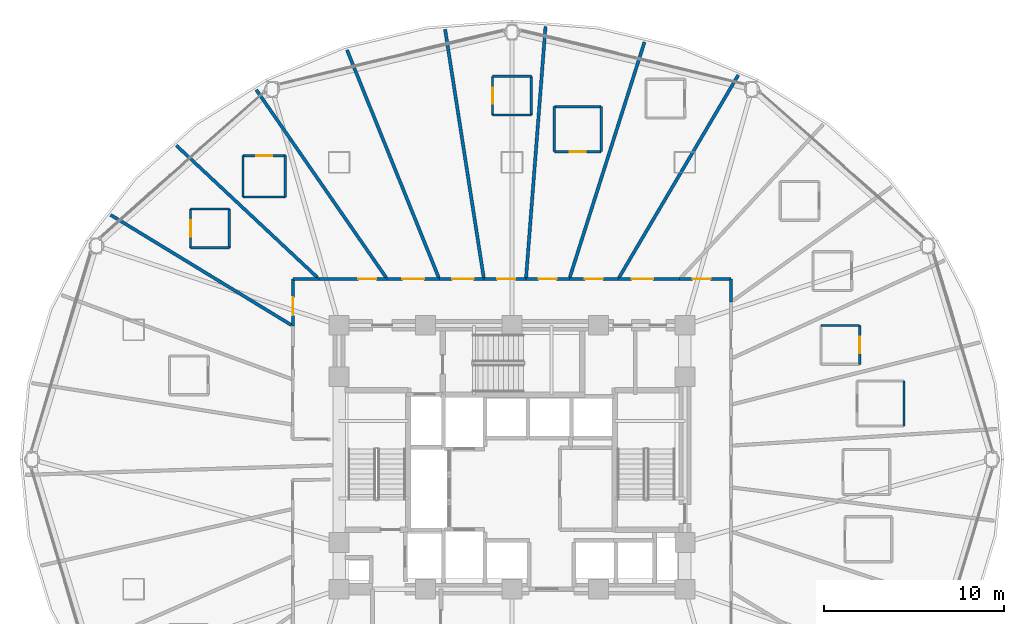
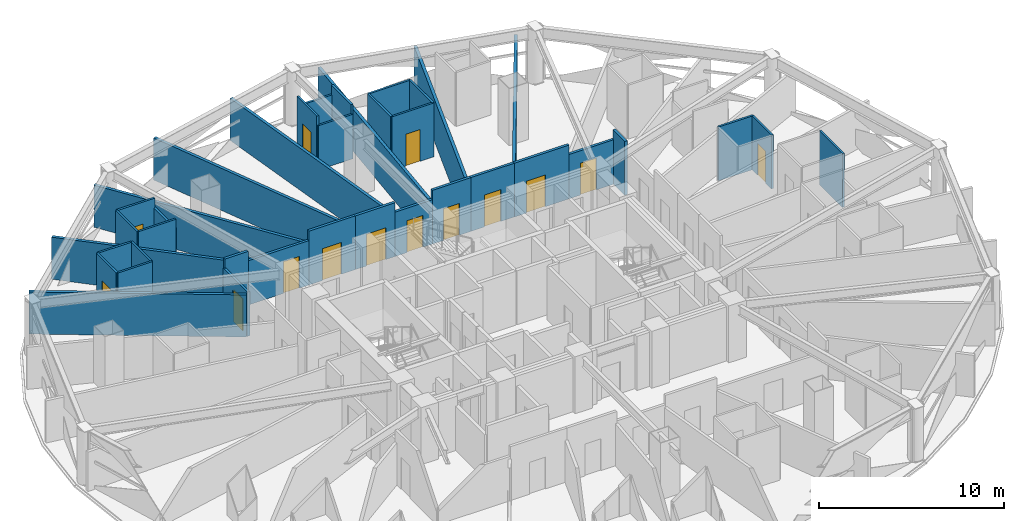
# One storey, part 27 of 32: 38 walls, 14 doors, 14 openings.
"""IFC4 building model written with IfcOpenShell, lengths in metres."""

import ifcopenshell
import ifcopenshell.guid

model = None  # the IFC model being written
_history = None  # IfcOwnerHistory: only IFC2X3 demands one
_inside = {}  # id of a spatial element -> (the spatial element, [elements in it])
_under = {}  # id of a project, library or spatial element -> (it, [spatial elements below it])
_declared = {}  # id of a project -> (the project, [libraries it declares])
_typed = {}  # id of a type object -> (the type object, [elements of that type])
_made_of = {}  # id of a material, layer set ... -> (it, [elements and type objects made of it])


def new_model(schema):
    """Start an empty IFC model of exactly this schema.

    Asked for "IFC4X3", IfcOpenShell would pick the latest addendum, in which some entities
    have other attributes; the version numbers below select the first issue.
    IFC2X3 requires an IfcOwnerHistory on every rooted entity: one is made here for all.
    """
    global model, _history
    if schema == "IFC4X3":
        model = ifcopenshell.file(schema_version=(4, 3, 0, 0))
    else:
        model = ifcopenshell.file(schema=schema)
    _inside.clear()
    _under.clear()
    _declared.clear()
    _typed.clear()
    _made_of.clear()
    _history = None
    if model.schema == "IFC2X3":
        org = make("IfcOrganization", Name="unknown")
        user = make(
            "IfcPersonAndOrganization",
            ThePerson=make("IfcPerson", FamilyName="unknown"),
            TheOrganization=org,
        )
        app = make(
            "IfcApplication",
            ApplicationDeveloper=org,
            Version="unknown",
            ApplicationFullName="unknown",
            ApplicationIdentifier="unknown",
        )
        _history = make(
            "IfcOwnerHistory",
            OwningUser=user,
            OwningApplication=app,
            ChangeAction="ADDED",
            CreationDate=0,
        )
    return model


def make(cls, **values):
    """One entity of the class cls with the attributes given. An attribute that is None is left unset."""
    return model.create_entity(
        cls, **{name: value for name, value in values.items() if value is not None}
    )


def rooted(cls, **values):
    """An entity with a GlobalId (a new one), such as an element, a storey or a relation."""
    return make(cls, GlobalId=ifcopenshell.guid.new(), OwnerHistory=_history, **values)


def si_unit(unit_type, name, prefix=None):
    """IfcSIUnit, for example si_unit("LENGTHUNIT", "METRE", prefix="MILLI")."""
    return make("IfcSIUnit", UnitType=unit_type, Prefix=prefix, Name=name)


def assignment(units):
    """IfcUnitAssignment: the units of a project."""
    return None if units is None else make("IfcUnitAssignment", Units=units)


def point(xyz):
    """IfcCartesianPoint."""
    return None if xyz is None else make("IfcCartesianPoint", Coordinates=xyz)


def direction(xyz):
    """IfcDirection."""
    return None if xyz is None else make("IfcDirection", DirectionRatios=xyz)


def frame(location, z_axis=None, x_axis=None):
    """IfcAxis2Placement3D, a coordinate frame: its origin and axes. An axis left out is left unset."""
    return make(
        "IfcAxis2Placement3D",
        Location=point(location),
        Axis=direction(z_axis),
        RefDirection=direction(x_axis),
    )


def frame_2d(location, x_axis=None):
    """IfcAxis2Placement2D, a coordinate frame in the plane: its origin and x axis."""
    return make(
        "IfcAxis2Placement2D", Location=point(location), RefDirection=direction(x_axis)
    )


def origin():
    """The frame at (0, 0, 0) with its axes left unset."""
    return frame((0.0, 0.0, 0.0))


def place(relative_to, where):
    """IfcLocalPlacement: puts the frame where relative to a parent placement (None: the world)."""
    return make(
        "IfcLocalPlacement", PlacementRelTo=relative_to, RelativePlacement=where
    )


def context(
    kind, dimensions, precision=None, world=None, true_north=None, identifier=None
):
    """IfcGeometricRepresentationContext, for example the 3D "Model" context."""
    return make(
        "IfcGeometricRepresentationContext",
        ContextIdentifier=identifier,
        ContextType=kind,
        CoordinateSpaceDimension=dimensions,
        Precision=precision,
        WorldCoordinateSystem=world,
        TrueNorth=true_north,
    )


def subcontext(parent, identifier, kind, view, scale=None):
    """IfcGeometricRepresentationSubContext, for example "Body" below "Model"."""
    return make(
        "IfcGeometricRepresentationSubContext",
        ContextIdentifier=identifier,
        ContextType=kind,
        ParentContext=parent,
        TargetScale=scale,
        TargetView=view,
    )


def project(units=None, contexts=None):
    """IfcProject with its units and contexts."""
    return rooted(
        "IfcProject",
        Name="project",
        RepresentationContexts=contexts,
        UnitsInContext=assignment(units),
    )


def spatial(cls, under=None, at=None, **own):
    """A site, building, storey or space (cls), placed at a placement, below another one or the project."""
    s = rooted(cls, ObjectPlacement=at, **own)
    if under is not None:
        _under.setdefault(under.id(), (under, []))[1].append(s)
    return s


def profile(cls, at=None, kind="AREA", **sizes):
    """A parametric profile (cls). Its sizes go by their IFC names, for example OverallWidth=200.0."""
    return make(cls, ProfileType=kind, Position=at, **sizes)


def rectangle(**sizes):
    """IfcRectangleProfileDef."""
    return profile("IfcRectangleProfileDef", **sizes)


def extrude(swept, where, along, depth):
    """IfcExtrudedAreaSolid: the profile swept, set in the frame where, extruded along a direction by depth."""
    return make(
        "IfcExtrudedAreaSolid",
        SweptArea=swept,
        Position=where,
        ExtrudedDirection=direction(along),
        Depth=depth,
    )


def shape(context_of_items, identifier, shape_type, items):
    """IfcShapeRepresentation: the items that make up one representation, for example the "Body"."""
    return make(
        "IfcShapeRepresentation",
        ContextOfItems=context_of_items,
        RepresentationIdentifier=identifier,
        RepresentationType=shape_type,
        Items=items,
    )


def material(Name=None, Category=None):
    """IfcMaterial."""
    return make("IfcMaterial", Name=Name, Category=Category)


def layer(
    of_material, thickness, ventilated=None, Name=None, Category=None, Priority=None
):
    """IfcMaterialLayer: one layer of a wall or slab, of a material (None: an air gap)."""
    return make(
        "IfcMaterialLayer",
        Material=of_material,
        LayerThickness=thickness,
        IsVentilated=ventilated,
        Name=Name,
        Category=Category,
        Priority=Priority,
    )


def layer_set(layers, Name=None):
    """IfcMaterialLayerSet."""
    return make("IfcMaterialLayerSet", MaterialLayers=layers, LayerSetName=Name)


def made_of(thing, what):
    """Note that an element or type object is made of a material, layer set ...; save() writes the relation."""
    if what is not None:
        _made_of.setdefault(what.id(), (what, []))[1].append(thing)
    return thing


def type_object(cls, material=None, **own):
    """A type object (cls), such as IfcWallType, which elements share."""
    return made_of(rooted(cls, **own), material)


def element(
    cls,
    number,
    at=None,
    inside=None,
    cuts=None,
    type_object=None,
    material=None,
    context=None,
    identifier="Body",
    shape_type=None,
    held_by="IfcProductDefinitionShape",
    body=None,
    shapes=None,
    **own,
):
    """One element of the class cls, such as IfcWall. Its Tag is "e" and its number.

    at: its placement. inside: the storey or other place that contains it. cuts: it is an
    opening in that element (IfcRelVoidsElement). A single representation is given by context,
    identifier, shape_type and body (its items); several are given by shapes. held_by: the class
    of the entity that holds the representations. save() writes the other relations.
    """
    e = rooted(cls, Tag="e%d" % number, ObjectPlacement=at, **own)
    if body is not None:
        shapes = [shape(context, identifier, shape_type, body)]
    if shapes is not None:
        e.Representation = make(held_by, Representations=shapes)
    if inside is not None:
        _inside.setdefault(inside.id(), (inside, []))[1].append(e)
    if cuts is not None:
        rooted(
            "IfcRelVoidsElement", RelatingBuildingElement=cuts, RelatedOpeningElement=e
        )
    if type_object is not None:
        _typed.setdefault(type_object.id(), (type_object, []))[1].append(e)
    return made_of(e, material)


def fill(opening, filler):
    """IfcRelFillsElement: the door or window that sits in an opening."""
    return rooted(
        "IfcRelFillsElement",
        RelatingOpeningElement=opening,
        RelatedBuildingElement=filler,
    )


def aggregate(whole, parts):
    """IfcRelAggregates: a whole, such as a stair, and the parts it consists of."""
    return rooted("IfcRelAggregates", RelatingObject=whole, RelatedObjects=parts)


def save(model, path):
    """Write the relations noted so far, then the file.

    IfcRelAggregates (storeys below a building ...), IfcRelContainedInSpatialStructure (elements
    in a storey), IfcRelDefinesByType, IfcRelAssociatesMaterial and IfcRelDeclares: one each for
    every whole, place, type object, material and project.
    """
    for whole, parts in _under.values():
        aggregate(whole, parts)
    for where, things in _inside.values():
        rooted(
            "IfcRelContainedInSpatialStructure",
            RelatedElements=things,
            RelatingStructure=where,
        )
    for kind, things in _typed.values():
        rooted("IfcRelDefinesByType", RelatedObjects=things, RelatingType=kind)
    for what, things in _made_of.values():
        rooted("IfcRelAssociatesMaterial", RelatedObjects=things, RelatingMaterial=what)
    for by, libraries in _declared.values():
        rooted("IfcRelDeclares", RelatingContext=by, RelatedDefinitions=libraries)
    model.write(path)


model = new_model("IFC4")

# Units and contexts
model_context = context("Model", 3, precision=1e-05, world=origin(), true_north=direction((0.0, 1.0)))
body_context = subcontext(model_context, "Body", "Model", "MODEL_VIEW")
ifc_project = project(units=[si_unit("LENGTHUNIT", "METRE"), si_unit("AREAUNIT", "SQUARE_METRE"), si_unit("VOLUMEUNIT", "CUBIC_METRE"), si_unit("PLANEANGLEUNIT", "RADIAN"), si_unit("MASSUNIT", "GRAM", prefix="KILO")], contexts=[model_context])

# Site, building, storey
site_placement = place(None, origin())
site = spatial("IfcSite", under=ifc_project, at=site_placement, CompositionType="ELEMENT")
building_placement = place(site_placement, origin())
building = spatial("IfcBuilding", under=site, at=building_placement, Name="Vantalir Tower", CompositionType="ELEMENT")
storey_placement = place(building_placement, frame((0.0, 0.0, 45.75)))
storey = spatial("IfcBuildingStorey", under=building, at=storey_placement, Name="L10", CompositionType="ELEMENT", Elevation=45.75)

# Walls
ifc_material_1 = material(Name="Moisture-resistant en-suite partition", Category="gypsum")
ifc_layer_1 = layer(ifc_material_1, 0.125)
ifc_layer_set_1 = layer_set([ifc_layer_1], Name="Moisture-resistant en-suite partition")
wall_type_1 = type_object("IfcWallType", Name="WL-BATH-125", PredefinedType="PARTITIONING", material=ifc_layer_set_1)
wall_1_placement = place(storey_placement, frame((53.256103515625, 26.863037109375, 0.0), z_axis=(0.0, 0.0, 1.0), x_axis=(0.0, 1.0, 0.0)))
element("IfcWall", 1, at=wall_1_placement, inside=storey, type_object=wall_type_1, Name="L10 En-suite 01 East Wall", PredefinedType="PARTITIONING", context=body_context, shape_type="SweptSolid", body=[
    extrude(rectangle(XDim=2.5, YDim=0.125, at=frame_2d((1.25, 0.0))), origin(), (0.0, 0.0, 1.0), 3.550048828125),
])
wall_2_placement = place(storey_placement, frame((48.655029296875, 32.43408203125, 0.0), z_axis=(0.0, 0.0, 1.0), x_axis=(1.0, 0.0, 0.0)))
element("IfcWall", 2, at=wall_2_placement, inside=storey, type_object=wall_type_1, Name="L10 En-suite 02 North Wall", PredefinedType="PARTITIONING", context=body_context, shape_type="SweptSolid", body=[
    extrude(rectangle(XDim=2.14990234375, YDim=0.125, at=frame_2d((1.074951171875, 0.0))), origin(), (0.0, 0.0, 1.0), 3.550048828125),
])

# Wall, opening, door
wall_3_placement = place(storey_placement, frame((50.804931640625, 30.283935546875, 0.0), z_axis=(0.0, 0.0, 1.0), x_axis=(0.0, 1.0, 0.0)))
wall_3 = element("IfcWall", 3, at=wall_3_placement, inside=storey, type_object=wall_type_1, Name="L10 En-suite 02 East Wall", PredefinedType="PARTITIONING", context=body_context, shape_type="SweptSolid", body=[
    extrude(rectangle(XDim=2.150146484375, YDim=0.125, at=frame_2d((1.0751953125, 0.0))), origin(), (0.0, 0.0, 1.0), 3.550048828125),
])
opening_1_placement = place(wall_3_placement, frame((0.625, 0.0, 0.0)))
opening_1 = element("IfcOpeningElement", 4, at=opening_1_placement, cuts=wall_3, Name="Opening D-WC", PredefinedType="OPENING", context=body_context, shape_type="SweptSolid", body=[
    extrude(rectangle(XDim=0.89990234375, YDim=2.10009765625, at=frame_2d((0.449951171875, 1.050048828125))), frame((0.0, 0.072509765625, 0.0), z_axis=(0.0, -1.0, 0.0), x_axis=(1.0, 0.0, 0.0)), (0.0, 0.0, 1.0), 0.14501953125),
])
ifc_material_2 = material(Name="Moisture-resistant hardwood door", Category="wood")
door_type_1 = type_object("IfcDoorType", Name="DR-ENSUITE-900", OperationType="NOTDEFINED", PredefinedType="DOOR", material=ifc_material_2)
door_1_placement = place(opening_1_placement, origin())
door_1 = element("IfcDoor", 5, at=door_1_placement, inside=storey, type_object=door_type_1, Name="L10 En-suite 02 Door", OperationType="SINGLE_SWING_LEFT", OverallHeight=2.10009765625, OverallWidth=0.89990234375, PredefinedType="DOOR", context=body_context, shape_type="SweptSolid", body=[
    extrude(rectangle(XDim=0.89990234375, YDim=2.10009765625, at=frame_2d((0.449951171875, 1.050048828125))), frame((0.0, 0.02490234375, 0.0), z_axis=(0.0, -1.0, 0.0), x_axis=(1.0, 0.0, 0.0)), (0.0, 0.0, 1.0), 0.050048828125),
])
fill(opening_1, door_1)

wall_4_placement = place(storey_placement, frame((33.85205078125, 42.091064453125, 0.0), z_axis=(0.0, 0.0, 1.0), x_axis=(1.0, 0.0, 0.0)))
wall_4 = element("IfcWall", 6, at=wall_4_placement, inside=storey, type_object=wall_type_1, Name="L10 En-suite 07 South Wall", PredefinedType="PARTITIONING", context=body_context, shape_type="SweptSolid", body=[
    extrude(rectangle(XDim=2.599853515625, YDim=0.125, at=frame_2d((1.2998046875, 0.0))), origin(), (0.0, 0.0, 1.0), 3.550048828125),
])
opening_2_placement = place(wall_4_placement, frame((0.85009765625, 0.0, 0.0)))
opening_2 = element("IfcOpeningElement", 7, at=opening_2_placement, cuts=wall_4, Name="Opening D-WC", PredefinedType="OPENING", context=body_context, shape_type="SweptSolid", body=[
    extrude(rectangle(XDim=0.89990234375, YDim=2.10009765625, at=frame_2d((0.449951171875, 1.050048828125))), frame((0.0, 0.072509765625, 0.0), z_axis=(0.0, -1.0, 0.0), x_axis=(1.0, 0.0, 0.0)), (0.0, 0.0, 1.0), 0.14501953125),
])
door_2_placement = place(opening_2_placement, origin())
door_2 = element("IfcDoor", 8, at=door_2_placement, inside=storey, type_object=door_type_1, Name="L10 En-suite 07 Door", OperationType="SINGLE_SWING_RIGHT", OverallHeight=2.10009765625, OverallWidth=0.89990234375, PredefinedType="DOOR", context=body_context, shape_type="SweptSolid", body=[
    extrude(rectangle(XDim=0.89990234375, YDim=2.10009765625, at=frame_2d((0.449951171875, 1.050048828125))), frame((0.0, 0.02490234375, 0.0), z_axis=(0.0, -1.0, 0.0), x_axis=(1.0, 0.0, 0.0)), (0.0, 0.0, 1.0), 0.050048828125),
])
fill(opening_2, door_2)

# Walls
wall_5_placement = place(storey_placement, frame((33.85205078125, 44.591064453125, 0.0), z_axis=(0.0, 0.0, 1.0), x_axis=(1.0, 0.0, 0.0)))
element("IfcWall", 9, at=wall_5_placement, inside=storey, type_object=wall_type_1, Name="L10 En-suite 07 North Wall", PredefinedType="PARTITIONING", context=body_context, shape_type="SweptSolid", body=[
    extrude(rectangle(XDim=2.599853515625, YDim=0.125, at=frame_2d((1.2998046875, 0.0))), origin(), (0.0, 0.0, 1.0), 3.550048828125),
])
for number, where, z_axis, x_axis, name in (
    (10, (33.85205078125, 42.091064453125, 0.0), (0.0, 0.0, 1.0), (0.0, 1.0, 0.0), "L10 En-suite 07 West Wall"),
    (11, (36.451904296875, 42.091064453125, 0.0), (0.0, 0.0, 1.0), (0.0, 1.0, 0.0), "L10 En-suite 07 East Wall"),
):
    element("IfcWall", number, at=place(storey_placement, frame(where, z_axis=z_axis, x_axis=x_axis)), inside=storey, type_object=wall_type_1, Name=name, PredefinedType="PARTITIONING", context=body_context, shape_type="SweptSolid", body=[
        extrude(rectangle(XDim=2.5, YDim=0.125, at=frame_2d((1.25, 0.0))), origin(), (0.0, 0.0, 1.0), 3.550048828125),
    ])
for number, where, z_axis, x_axis, name in (
    (12, (30.422119140625, 44.1259765625, 0.0), (0.0, 0.0, 1.0), (1.0, 0.0, 0.0), "L10 En-suite 08 South Wall"),
    (13, (30.422119140625, 46.27587890625, 0.0), (0.0, 0.0, 1.0), (1.0, 0.0, 0.0), "L10 En-suite 08 North Wall"),
):
    element("IfcWall", number, at=place(storey_placement, frame(where, z_axis=z_axis, x_axis=x_axis)), inside=storey, type_object=wall_type_1, Name=name, PredefinedType="PARTITIONING", context=body_context, shape_type="SweptSolid", body=[
        extrude(rectangle(XDim=2.14990234375, YDim=0.125, at=frame_2d((1.074951171875, 0.0))), origin(), (0.0, 0.0, 1.0), 2.927978515625),
    ])

# Wall, opening, door
wall_6_placement = place(storey_placement, frame((30.422119140625, 44.1259765625, 0.0), z_axis=(0.0, 0.0, 1.0), x_axis=(0.0, 1.0, 0.0)))
wall_6 = element("IfcWall", 14, at=wall_6_placement, inside=storey, type_object=wall_type_1, Name="L10 En-suite 08 West Wall", PredefinedType="PARTITIONING", context=body_context, shape_type="SweptSolid", body=[
    extrude(rectangle(XDim=2.14990234375, YDim=0.125, at=frame_2d((1.074951171875, 0.0))), origin(), (0.0, 0.0, 1.0), 3.550048828125),
])
opening_3_placement = place(wall_6_placement, frame((0.625, 0.0, 0.0)))
opening_3 = element("IfcOpeningElement", 15, at=opening_3_placement, cuts=wall_6, Name="Opening D-WC", PredefinedType="OPENING", context=body_context, shape_type="SweptSolid", body=[
    extrude(rectangle(XDim=0.89990234375, YDim=2.10009765625, at=frame_2d((0.449951171875, 1.050048828125))), frame((0.0, 0.072509765625, 0.0), z_axis=(0.0, -1.0, 0.0), x_axis=(1.0, 0.0, 0.0)), (0.0, 0.0, 1.0), 0.14501953125),
])
door_3_placement = place(opening_3_placement, frame((0.89990234375, 0.0, 0.0), z_axis=(0.0, 0.0, 1.0), x_axis=(-1.0, 0.0, 0.0)))
door_3 = element("IfcDoor", 16, at=door_3_placement, inside=storey, type_object=door_type_1, Name="L10 En-suite 08 Door", OperationType="SINGLE_SWING_LEFT", OverallHeight=2.10009765625, OverallWidth=0.89990234375, PredefinedType="DOOR", context=body_context, shape_type="SweptSolid", body=[
    extrude(rectangle(XDim=0.89990234375, YDim=2.10009765625, at=frame_2d((0.449951171875, 1.050048828125))), frame((0.0, 0.02490234375, 0.0), z_axis=(0.0, -1.0, 0.0), x_axis=(1.0, 0.0, 0.0)), (0.0, 0.0, 1.0), 0.050048828125),
])
fill(opening_3, door_3)

# Walls
wall_7_placement = place(storey_placement, frame((32.572021484375, 44.1259765625, 0.0), z_axis=(0.0, 0.0, 1.0), x_axis=(0.0, 1.0, 0.0)))
element("IfcWall", 17, at=wall_7_placement, inside=storey, type_object=wall_type_1, Name="L10 En-suite 08 East Wall", PredefinedType="PARTITIONING", context=body_context, shape_type="SweptSolid", body=[
    extrude(rectangle(XDim=2.14990234375, YDim=0.125, at=frame_2d((1.074951171875, 0.0))), origin(), (0.0, 0.0, 1.0), 3.550048828125),
])
wall_8_placement = place(storey_placement, frame((16.56494140625, 39.571044921875, 0.0), z_axis=(0.0, 0.0, 1.0), x_axis=(1.0, 0.0, 0.0)))
element("IfcWall", 18, at=wall_8_placement, inside=storey, type_object=wall_type_1, Name="L10 En-suite 11 South Wall", PredefinedType="PARTITIONING", context=body_context, shape_type="SweptSolid", body=[
    extrude(rectangle(XDim=2.35009765625, YDim=0.125, at=frame_2d((1.175048828125, 0.0))), origin(), (0.0, 0.0, 1.0), 3.550048828125),
])

# Wall, opening, door
wall_9_placement = place(storey_placement, frame((16.56494140625, 41.87109375, 0.0), z_axis=(0.0, 0.0, 1.0), x_axis=(1.0, 0.0, 0.0)))
wall_9 = element("IfcWall", 19, at=wall_9_placement, inside=storey, type_object=wall_type_1, Name="L10 En-suite 11 North Wall", PredefinedType="PARTITIONING", context=body_context, shape_type="SweptSolid", body=[
    extrude(rectangle(XDim=2.35009765625, YDim=0.125, at=frame_2d((1.175048828125, 0.0))), origin(), (0.0, 0.0, 1.0), 3.550048828125),
])
opening_4_placement = place(wall_9_placement, frame((0.72509765625, 0.0, 0.0)))
opening_4 = element("IfcOpeningElement", 20, at=opening_4_placement, cuts=wall_9, Name="Opening D-WC", PredefinedType="OPENING", context=body_context, shape_type="SweptSolid", body=[
    extrude(rectangle(XDim=0.89990234375, YDim=2.10009765625, at=frame_2d((0.449951171875, 1.050048828125))), frame((0.0, 0.072509765625, 0.0), z_axis=(0.0, -1.0, 0.0), x_axis=(1.0, 0.0, 0.0)), (0.0, 0.0, 1.0), 0.14501953125),
])
door_4_placement = place(opening_4_placement, frame((0.89990234375, 0.0, 0.0), z_axis=(0.0, 0.0, 1.0), x_axis=(-1.0, 0.0, 0.0)))
door_4 = element("IfcDoor", 21, at=door_4_placement, inside=storey, type_object=door_type_1, Name="L10 En-suite 11 Door", OperationType="SINGLE_SWING_RIGHT", OverallHeight=2.10009765625, OverallWidth=0.89990234375, PredefinedType="DOOR", context=body_context, shape_type="SweptSolid", body=[
    extrude(rectangle(XDim=0.89990234375, YDim=2.10009765625, at=frame_2d((0.449951171875, 1.050048828125))), frame((0.0, 0.02490234375, 0.0), z_axis=(0.0, -1.0, 0.0), x_axis=(1.0, 0.0, 0.0)), (0.0, 0.0, 1.0), 0.050048828125),
])
fill(opening_4, door_4)

# Walls
wall_10_placement = place(storey_placement, frame((16.56494140625, 39.571044921875, 0.0), z_axis=(0.0, 0.0, 1.0), x_axis=(0.0, 1.0, 0.0)))
element("IfcWall", 22, at=wall_10_placement, inside=storey, type_object=wall_type_1, Name="L10 En-suite 11 West Wall", PredefinedType="PARTITIONING", context=body_context, shape_type="SweptSolid", body=[
    extrude(rectangle(XDim=2.300048828125, YDim=0.125, at=frame_2d((1.14990234375, 0.0))), origin(), (0.0, 0.0, 1.0), 3.550048828125),
])
wall_11_placement = place(storey_placement, frame((18.9150390625, 39.571044921875, 0.0), z_axis=(0.0, 0.0, 1.0), x_axis=(0.0, 1.0, 0.0)))
element("IfcWall", 23, at=wall_11_placement, inside=storey, type_object=wall_type_1, Name="L10 En-suite 11 East Wall", PredefinedType="PARTITIONING", context=body_context, shape_type="SweptSolid", body=[
    extrude(rectangle(XDim=2.300048828125, YDim=0.125, at=frame_2d((1.14990234375, 0.0))), origin(), (0.0, 0.0, 1.0), 2.927978515625),
])
for number, where, z_axis, x_axis, name in (
    (24, (13.655029296875, 36.756103515625, 0.0), (0.0, 0.0, 1.0), (1.0, 0.0, 0.0), "L10 En-suite 12 South Wall"),
    (25, (13.655029296875, 38.906005859375, 0.0), (0.0, 0.0, 1.0), (1.0, 0.0, 0.0), "L10 En-suite 12 North Wall"),
):
    element("IfcWall", number, at=place(storey_placement, frame(where, z_axis=z_axis, x_axis=x_axis)), inside=storey, type_object=wall_type_1, Name=name, PredefinedType="PARTITIONING", context=body_context, shape_type="SweptSolid", body=[
        extrude(rectangle(XDim=2.14990234375, YDim=0.125, at=frame_2d((1.074951171875, 0.0))), origin(), (0.0, 0.0, 1.0), 3.550048828125),
    ])

# Wall, opening, door
wall_12_placement = place(storey_placement, frame((13.655029296875, 36.756103515625, 0.0), z_axis=(0.0, 0.0, 1.0), x_axis=(0.0, 1.0, 0.0)))
wall_12 = element("IfcWall", 26, at=wall_12_placement, inside=storey, type_object=wall_type_1, Name="L10 En-suite 12 West Wall", PredefinedType="PARTITIONING", context=body_context, shape_type="SweptSolid", body=[
    extrude(rectangle(XDim=2.14990234375, YDim=0.125, at=frame_2d((1.074951171875, 0.0))), origin(), (0.0, 0.0, 1.0), 3.550048828125),
])
opening_5_placement = place(wall_12_placement, frame((0.625, 0.0, 0.0)))
opening_5 = element("IfcOpeningElement", 27, at=opening_5_placement, cuts=wall_12, Name="Opening D-WC", PredefinedType="OPENING", context=body_context, shape_type="SweptSolid", body=[
    extrude(rectangle(XDim=0.89990234375, YDim=2.10009765625, at=frame_2d((0.449951171875, 1.050048828125))), frame((0.0, 0.072509765625, 0.0), z_axis=(0.0, -1.0, 0.0), x_axis=(1.0, 0.0, 0.0)), (0.0, 0.0, 1.0), 0.14501953125),
])
door_5_placement = place(opening_5_placement, frame((0.89990234375, 0.0, 0.0), z_axis=(0.0, 0.0, 1.0), x_axis=(-1.0, 0.0, 0.0)))
door_5 = element("IfcDoor", 28, at=door_5_placement, inside=storey, type_object=door_type_1, Name="L10 En-suite 12 Door", OperationType="SINGLE_SWING_LEFT", OverallHeight=2.10009765625, OverallWidth=0.89990234375, PredefinedType="DOOR", context=body_context, shape_type="SweptSolid", body=[
    extrude(rectangle(XDim=0.89990234375, YDim=2.10009765625, at=frame_2d((0.449951171875, 1.050048828125))), frame((0.0, 0.02490234375, 0.0), z_axis=(0.0, -1.0, 0.0), x_axis=(1.0, 0.0, 0.0)), (0.0, 0.0, 1.0), 0.050048828125),
])
fill(opening_5, door_5)

# Wall
wall_13_placement = place(storey_placement, frame((15.804931640625, 36.756103515625, 0.0), z_axis=(0.0, 0.0, 1.0), x_axis=(0.0, 1.0, 0.0)))
element("IfcWall", 29, at=wall_13_placement, inside=storey, type_object=wall_type_1, Name="L10 En-suite 12 East Wall", PredefinedType="PARTITIONING", context=body_context, shape_type="SweptSolid", body=[
    extrude(rectangle(XDim=2.14990234375, YDim=0.125, at=frame_2d((1.074951171875, 0.0))), origin(), (0.0, 0.0, 1.0), 3.550048828125),
])

# Wall, opening, door
ifc_material_3 = material(Name="Fire-rated hotel corridor acoustic partition", Category="gypsum")
ifc_layer_2 = layer(ifc_material_3, 0.159912109375)
ifc_layer_set_2 = layer_set([ifc_layer_2], Name="Fire-rated hotel corridor acoustic partition")
wall_type_2 = type_object("IfcWallType", Name="WL-CORR-160", PredefinedType="PARTITIONING", material=ifc_layer_set_2)
wall_14_placement = place(storey_placement, frame((19.337890625, 32.412109375, 0.0), z_axis=(0.0, 0.0, 1.0), x_axis=(0.002337753103, 0.999997267451, 0.0)))
wall_14 = element("IfcWall", 30, at=wall_14_placement, inside=storey, type_object=wall_type_2, Name="L10 Corridor Partition 05", PredefinedType="PARTITIONING", context=body_context, shape_type="SweptSolid", body=[
    extrude(rectangle(XDim=2.61083984375, YDim=0.159912109375, at=frame_2d((1.305419921875, 0.0))), origin(), (0.0, 0.0, 1.0), 2.927978515625),
])
opening_6_placement = place(wall_14_placement, frame((0.590087890625, 0.0, 0.0)))
opening_6 = element("IfcOpeningElement", 31, at=opening_6_placement, cuts=wall_14, Name="Opening D-GUEST", PredefinedType="OPENING", context=body_context, shape_type="SweptSolid", body=[
    extrude(rectangle(XDim=1.0, YDim=2.10009765625, at=frame_2d((0.5, 1.050048828125))), frame((0.0, 0.08984375, 0.0), z_axis=(0.0, -1.0, 0.0), x_axis=(1.0, 0.0, 0.0)), (0.0, 0.0, 1.0), 0.179931640625),
])
ifc_material_4 = material(Name="Solid-core teak veneer acoustic fire door", Category="wood")
door_type_2 = type_object("IfcDoorType", Name="DR-GUEST-ENTRY-1000", OperationType="NOTDEFINED", PredefinedType="DOOR", material=ifc_material_4)
door_6_placement = place(opening_6_placement, origin())
door_6 = element("IfcDoor", 32, at=door_6_placement, inside=storey, type_object=door_type_2, Name="L10 Twin Queen Hotel Room 12 Door", OperationType="SINGLE_SWING_LEFT", OverallHeight=2.10009765625, OverallWidth=1.0, PredefinedType="DOOR", context=body_context, shape_type="SweptSolid", body=[
    extrude(rectangle(XDim=1.0, YDim=2.10009765625, at=frame_2d((0.5, 1.050048828125))), frame((0.0, 0.02490234375, 0.0), z_axis=(0.0, -1.0, 0.0), x_axis=(1.0, 0.0, 0.0)), (0.0, 0.0, 1.0), 0.050048828125),
])
fill(opening_6, door_6)

# Wall
wall_15_placement = place(storey_placement, frame((19.343994140625, 35.02294921875, 0.0), z_axis=(0.0, 0.0, 1.0), x_axis=(1.0, 0.0, 0.0)))
element("IfcWall", 33, at=wall_15_placement, inside=storey, type_object=wall_type_2, Name="L10 Corridor Partition 06", PredefinedType="PARTITIONING", context=body_context, shape_type="SweptSolid", body=[
    extrude(rectangle(XDim=1.444091796875, YDim=0.159912109375, at=frame_2d((0.72216796875, 0.0))), origin(), (0.0, 0.0, 1.0), 3.550048828125),
])

# Wall, opening, door
wall_16_placement = place(storey_placement, frame((20.7880859375, 35.02294921875, 0.0), z_axis=(0.0, 0.0, 1.0), x_axis=(1.0, 0.0, 0.0)))
wall_16 = element("IfcWall", 34, at=wall_16_placement, inside=storey, type_object=wall_type_2, Name="L10 Corridor Partition 07", PredefinedType="PARTITIONING", context=body_context, shape_type="SweptSolid", body=[
    extrude(rectangle(XDim=3.780029296875, YDim=0.159912109375, at=frame_2d((1.89013671875, 0.0))), origin(), (0.0, 0.0, 1.0), 2.927978515625),
])
opening_7_placement = place(wall_16_placement, frame((2.18603515625, 0.0, 0.0)))
opening_7 = element("IfcOpeningElement", 35, at=opening_7_placement, cuts=wall_16, Name="Opening D-GUEST", PredefinedType="OPENING", context=body_context, shape_type="SweptSolid", body=[
    extrude(rectangle(XDim=1.0, YDim=2.10009765625, at=frame_2d((0.5, 1.050048828125))), frame((0.0, 0.08984375, 0.0), z_axis=(0.0, -1.0, 0.0), x_axis=(1.0, 0.0, 0.0)), (0.0, 0.0, 1.0), 0.179931640625),
])
door_7_placement = place(opening_7_placement, origin())
door_7 = element("IfcDoor", 36, at=door_7_placement, inside=storey, type_object=door_type_2, Name="L10 Deluxe King Hotel Room 11 Door", OperationType="SINGLE_SWING_RIGHT", OverallHeight=2.10009765625, OverallWidth=1.0, PredefinedType="DOOR", context=body_context, shape_type="SweptSolid", body=[
    extrude(rectangle(XDim=1.0, YDim=2.10009765625, at=frame_2d((0.5, 1.050048828125))), frame((0.0, 0.02490234375, 0.0), z_axis=(0.0, -1.0, 0.0), x_axis=(1.0, 0.0, 0.0)), (0.0, 0.0, 1.0), 0.050048828125),
])
fill(opening_7, door_7)

wall_17_placement = place(storey_placement, frame((24.568115234375, 35.02294921875, 0.0), z_axis=(0.0, 0.0, 1.0), x_axis=(1.0, 0.0, 0.0)))
wall_17 = element("IfcWall", 37, at=wall_17_placement, inside=storey, type_object=wall_type_2, Name="L10 Corridor Partition 08", PredefinedType="PARTITIONING", context=body_context, shape_type="SweptSolid", body=[
    extrude(rectangle(XDim=2.893798828125, YDim=0.159912109375, at=frame_2d((1.44677734375, 0.0))), origin(), (0.0, 0.0, 1.0), 3.550048828125),
])
opening_8_placement = place(wall_17_placement, frame((0.846923828125, 0.0, 0.0)))
opening_8 = element("IfcOpeningElement", 38, at=opening_8_placement, cuts=wall_17, Name="Opening D-STE", PredefinedType="OPENING", context=body_context, shape_type="SweptSolid", body=[
    extrude(rectangle(XDim=1.199951171875, YDim=2.10009765625, at=frame_2d((0.60009765625, 1.050048828125))), frame((0.0, 0.08984375, 0.0), z_axis=(0.0, -1.0, 0.0), x_axis=(1.0, 0.0, 0.0)), (0.0, 0.0, 1.0), 0.179931640625),
])
ifc_material_5 = material(Name="Solid-core teak veneer suite entrance door", Category="wood")
door_type_3 = type_object("IfcDoorType", Name="DR-SUITE-ENTRY-1200", OperationType="NOTDEFINED", PredefinedType="DOOR", material=ifc_material_5)
door_8_placement = place(opening_8_placement, origin())
door_8 = element("IfcDoor", 39, at=door_8_placement, inside=storey, type_object=door_type_3, Name="L10 Executive Sky Boardroom 10 Door", OperationType="SINGLE_SWING_LEFT", OverallHeight=2.10009765625, OverallWidth=1.199951171875, PredefinedType="DOOR", context=body_context, shape_type="SweptSolid", body=[
    extrude(rectangle(XDim=1.199951171875, YDim=2.10009765625, at=frame_2d((0.60009765625, 1.050048828125))), frame((0.0, 0.02490234375, 0.0), z_axis=(0.0, -1.0, 0.0), x_axis=(1.0, 0.0, 0.0)), (0.0, 0.0, 1.0), 0.050048828125),
])
fill(opening_8, door_8)

wall_18_placement = place(storey_placement, frame((27.4619140625, 35.02294921875, 0.0), z_axis=(0.0, 0.0, 1.0), x_axis=(1.0, 0.0, 0.0)))
wall_18 = element("IfcWall", 40, at=wall_18_placement, inside=storey, type_object=wall_type_2, Name="L10 Corridor Partition 09", PredefinedType="PARTITIONING", context=body_context, shape_type="SweptSolid", body=[
    extrude(rectangle(XDim=2.47900390625, YDim=0.159912109375, at=frame_2d((1.239501953125, 0.0))), origin(), (0.0, 0.0, 1.0), 3.550048828125),
])
opening_9_placement = place(wall_18_placement, frame((0.7080078125, 0.0, 0.0)))
opening_9 = element("IfcOpeningElement", 41, at=opening_9_placement, cuts=wall_18, Name="Opening D-STE", PredefinedType="OPENING", context=body_context, shape_type="SweptSolid", body=[
    extrude(rectangle(XDim=1.199951171875, YDim=2.10009765625, at=frame_2d((0.60009765625, 1.050048828125))), frame((0.0, 0.08984375, 0.0), z_axis=(0.0, -1.0, 0.0), x_axis=(1.0, 0.0, 0.0)), (0.0, 0.0, 1.0), 0.179931640625),
])
door_9_placement = place(opening_9_placement, origin())
door_9 = element("IfcDoor", 42, at=door_9_placement, inside=storey, type_object=door_type_3, Name="L10 Club Reading Lounge 09 Door", OperationType="SINGLE_SWING_RIGHT", OverallHeight=2.10009765625, OverallWidth=1.199951171875, PredefinedType="DOOR", context=body_context, shape_type="SweptSolid", body=[
    extrude(rectangle(XDim=1.199951171875, YDim=2.10009765625, at=frame_2d((0.60009765625, 1.050048828125))), frame((0.0, 0.02490234375, 0.0), z_axis=(0.0, -1.0, 0.0), x_axis=(1.0, 0.0, 0.0)), (0.0, 0.0, 1.0), 0.050048828125),
])
fill(opening_9, door_9)

wall_19_placement = place(storey_placement, frame((29.94091796875, 35.02294921875, 0.0), z_axis=(0.0, 0.0, 1.0), x_axis=(1.0, 0.0, 0.0)))
wall_19 = element("IfcWall", 43, at=wall_19_placement, inside=storey, type_object=wall_type_2, Name="L10 Corridor Partition 10", PredefinedType="PARTITIONING", context=body_context, shape_type="SweptSolid", body=[
    extrude(rectangle(XDim=2.3349609375, YDim=0.159912109375, at=frame_2d((1.16748046875, 0.0))), origin(), (0.0, 0.0, 1.0), 2.927978515625),
])
opening_10_placement = place(wall_19_placement, frame((0.739990234375, 0.0, 0.0)))
opening_10 = element("IfcOpeningElement", 44, at=opening_10_placement, cuts=wall_19, Name="Opening D-GUEST", PredefinedType="OPENING", context=body_context, shape_type="SweptSolid", body=[
    extrude(rectangle(XDim=1.0, YDim=2.10009765625, at=frame_2d((0.5, 1.050048828125))), frame((0.0, 0.08984375, 0.0), z_axis=(0.0, -1.0, 0.0), x_axis=(1.0, 0.0, 0.0)), (0.0, 0.0, 1.0), 0.179931640625),
])
door_10_placement = place(opening_10_placement, origin())
door_10 = element("IfcDoor", 45, at=door_10_placement, inside=storey, type_object=door_type_2, Name="L10 Twin Queen Hotel Room 08 Door", OperationType="SINGLE_SWING_LEFT", OverallHeight=2.10009765625, OverallWidth=1.0, PredefinedType="DOOR", context=body_context, shape_type="SweptSolid", body=[
    extrude(rectangle(XDim=1.0, YDim=2.10009765625, at=frame_2d((0.5, 1.050048828125))), frame((0.0, 0.02490234375, 0.0), z_axis=(0.0, -1.0, 0.0), x_axis=(1.0, 0.0, 0.0)), (0.0, 0.0, 1.0), 0.050048828125),
])
fill(opening_10, door_10)

wall_20_placement = place(storey_placement, frame((32.27587890625, 35.02294921875, 0.0), z_axis=(0.0, 0.0, 1.0), x_axis=(1.0, 0.0, 0.0)))
wall_20 = element("IfcWall", 46, at=wall_20_placement, inside=storey, type_object=wall_type_2, Name="L10 Corridor Partition 11", PredefinedType="PARTITIONING", context=body_context, shape_type="SweptSolid", body=[
    extrude(rectangle(XDim=2.405029296875, YDim=0.159912109375, at=frame_2d((1.20263671875, 0.0))), origin(), (0.0, 0.0, 1.0), 3.550048828125),
])
opening_11_placement = place(wall_20_placement, frame((0.701904296875, 0.0, 0.0)))
opening_11 = element("IfcOpeningElement", 47, at=opening_11_placement, cuts=wall_20, Name="Opening D-GUEST", PredefinedType="OPENING", context=body_context, shape_type="SweptSolid", body=[
    extrude(rectangle(XDim=1.0, YDim=2.10009765625, at=frame_2d((0.5, 1.050048828125))), frame((0.0, 0.08984375, 0.0), z_axis=(0.0, -1.0, 0.0), x_axis=(1.0, 0.0, 0.0)), (0.0, 0.0, 1.0), 0.179931640625),
])
door_11_placement = place(opening_11_placement, origin())
door_11 = element("IfcDoor", 48, at=door_11_placement, inside=storey, type_object=door_type_2, Name="L10 Deluxe King Hotel Room 07 Door", OperationType="SINGLE_SWING_RIGHT", OverallHeight=2.10009765625, OverallWidth=1.0, PredefinedType="DOOR", context=body_context, shape_type="SweptSolid", body=[
    extrude(rectangle(XDim=1.0, YDim=2.10009765625, at=frame_2d((0.5, 1.050048828125))), frame((0.0, 0.02490234375, 0.0), z_axis=(0.0, -1.0, 0.0), x_axis=(1.0, 0.0, 0.0)), (0.0, 0.0, 1.0), 0.050048828125),
])
fill(opening_11, door_11)

wall_21_placement = place(storey_placement, frame((34.680908203125, 35.02294921875, 0.0), z_axis=(0.0, 0.0, 1.0), x_axis=(1.0, 0.0, 0.0)))
wall_21 = element("IfcWall", 49, at=wall_21_placement, inside=storey, type_object=wall_type_2, Name="L10 Corridor Partition 12", PredefinedType="PARTITIONING", context=body_context, shape_type="SweptSolid", body=[
    extrude(rectangle(XDim=2.717041015625, YDim=0.159912109375, at=frame_2d((1.3583984375, 0.0))), origin(), (0.0, 0.0, 1.0), 3.550048828125),
])
opening_12_placement = place(wall_21_placement, frame((0.85888671875, 0.0, 0.0)))
opening_12 = element("IfcOpeningElement", 50, at=opening_12_placement, cuts=wall_21, Name="Opening D-GUEST", PredefinedType="OPENING", context=body_context, shape_type="SweptSolid", body=[
    extrude(rectangle(XDim=1.0, YDim=2.10009765625, at=frame_2d((0.5, 1.050048828125))), frame((0.0, 0.08984375, 0.0), z_axis=(0.0, -1.0, 0.0), x_axis=(1.0, 0.0, 0.0)), (0.0, 0.0, 1.0), 0.179931640625),
])
door_12_placement = place(opening_12_placement, origin())
door_12 = element("IfcDoor", 51, at=door_12_placement, inside=storey, type_object=door_type_2, Name="L10 Deluxe King Hotel Room 06 Door", OperationType="SINGLE_SWING_LEFT", OverallHeight=2.10009765625, OverallWidth=1.0, PredefinedType="DOOR", context=body_context, shape_type="SweptSolid", body=[
    extrude(rectangle(XDim=1.0, YDim=2.10009765625, at=frame_2d((0.5, 1.050048828125))), frame((0.0, 0.02490234375, 0.0), z_axis=(0.0, -1.0, 0.0), x_axis=(1.0, 0.0, 0.0)), (0.0, 0.0, 1.0), 0.050048828125),
])
fill(opening_12, door_12)

wall_22_placement = place(storey_placement, frame((37.39794921875, 35.02294921875, 0.0), z_axis=(0.0, 0.0, 1.0), x_axis=(1.0, 0.0, 0.0)))
wall_22 = element("IfcWall", 52, at=wall_22_placement, inside=storey, type_object=wall_type_2, Name="L10 Corridor Partition 13", PredefinedType="PARTITIONING", context=body_context, shape_type="SweptSolid", body=[
    extrude(rectangle(XDim=3.41015625, YDim=0.159912109375, at=frame_2d((1.705078125, 0.0))), origin(), (0.0, 0.0, 1.0), 3.550048828125),
])
opening_13_placement = place(wall_22_placement, frame((0.741943359375, 0.0, 0.0)))
opening_13 = element("IfcOpeningElement", 53, at=opening_13_placement, cuts=wall_22, Name="Opening D-STE", PredefinedType="OPENING", context=body_context, shape_type="SweptSolid", body=[
    extrude(rectangle(XDim=1.199951171875, YDim=2.10009765625, at=frame_2d((0.60009765625, 1.050048828125))), frame((0.0, 0.08984375, 0.0), z_axis=(0.0, -1.0, 0.0), x_axis=(1.0, 0.0, 0.0)), (0.0, 0.0, 1.0), 0.179931640625),
])
door_13_placement = place(opening_13_placement, origin())
door_13 = element("IfcDoor", 54, at=door_13_placement, inside=storey, type_object=door_type_3, Name="L10 Club Reading Lounge 05 Door", OperationType="SINGLE_SWING_RIGHT", OverallHeight=2.10009765625, OverallWidth=1.199951171875, PredefinedType="DOOR", context=body_context, shape_type="SweptSolid", body=[
    extrude(rectangle(XDim=1.199951171875, YDim=2.10009765625, at=frame_2d((0.60009765625, 1.050048828125))), frame((0.0, 0.02490234375, 0.0), z_axis=(0.0, -1.0, 0.0), x_axis=(1.0, 0.0, 0.0)), (0.0, 0.0, 1.0), 0.050048828125),
])
fill(opening_13, door_13)

wall_23_placement = place(storey_placement, frame((40.80810546875, 35.02294921875, 0.0), z_axis=(0.0, 0.0, 1.0), x_axis=(1.0, 0.0, 0.0)))
wall_23 = element("IfcWall", 55, at=wall_23_placement, inside=storey, type_object=wall_type_2, Name="L10 Corridor Partition 14", PredefinedType="PARTITIONING", context=body_context, shape_type="SweptSolid", body=[
    extrude(rectangle(XDim=2.847900390625, YDim=0.159912109375, at=frame_2d((1.423828125, 0.0))), origin(), (0.0, 0.0, 1.0), 2.927978515625),
])
opening_14_placement = place(wall_23_placement, frame((0.716064453125, 0.0, 0.0)))
opening_14 = element("IfcOpeningElement", 56, at=opening_14_placement, cuts=wall_23, Name="Opening D-GUEST", PredefinedType="OPENING", context=body_context, shape_type="SweptSolid", body=[
    extrude(rectangle(XDim=1.0, YDim=2.10009765625, at=frame_2d((0.5, 1.050048828125))), frame((0.0, 0.08984375, 0.0), z_axis=(0.0, -1.0, 0.0), x_axis=(1.0, 0.0, 0.0)), (0.0, 0.0, 1.0), 0.179931640625),
])
door_14_placement = place(opening_14_placement, origin())
door_14 = element("IfcDoor", 57, at=door_14_placement, inside=storey, type_object=door_type_2, Name="L10 Twin Queen Hotel Room 04 Door", OperationType="SINGLE_SWING_LEFT", OverallHeight=2.10009765625, OverallWidth=1.0, PredefinedType="DOOR", context=body_context, shape_type="SweptSolid", body=[
    extrude(rectangle(XDim=1.0, YDim=2.10009765625, at=frame_2d((0.5, 1.050048828125))), frame((0.0, 0.02490234375, 0.0), z_axis=(0.0, -1.0, 0.0), x_axis=(1.0, 0.0, 0.0)), (0.0, 0.0, 1.0), 0.050048828125),
])
fill(opening_14, door_14)

# Walls
wall_24_placement = place(storey_placement, frame((43.656005859375, 35.02294921875, 0.0), z_axis=(0.0, 0.0, 1.0), x_axis=(0.000759445386, -0.999999711621, 0.0)))
element("IfcWall", 58, at=wall_24_placement, inside=storey, type_object=wall_type_2, Name="L10 Corridor Partition 15", PredefinedType="PARTITIONING", context=body_context, shape_type="SweptSolid", body=[
    extrude(rectangle(XDim=1.285888671875, YDim=0.159912109375, at=frame_2d((0.64306640625, 0.0))), origin(), (0.0, 0.0, 1.0), 3.550048828125),
])
ifc_material_6 = material(Name="Twin-stud acoustic fire-rated gypsum partition", Category="gypsum")
ifc_layer_3 = layer(ifc_material_6, 0.179931640625)
ifc_layer_set_3 = layer_set([ifc_layer_3], Name="Twin-stud acoustic fire-rated gypsum partition")
wall_type_3 = type_object("IfcWallType", Name="WL-GUEST-180", PredefinedType="PARTITIONING", material=ifc_layer_set_3)
wall_25_placement = place(storey_placement, frame((37.445068359375, 35.10302734375, 0.0), z_axis=(0.0, 0.0, 1.0), x_axis=(0.507217216193, 0.861818249747, 0.0)))
element("IfcWall", 59, at=wall_25_placement, inside=storey, type_object=wall_type_3, Name="L10 Radial Suite Partition 06", PredefinedType="PARTITIONING", context=body_context, shape_type="SweptSolid", body=[
    extrude(rectangle(XDim=13.045654296875, YDim=0.179931640625, at=frame_2d((6.52294921875, 0.0))), origin(), (0.0, 0.0, 1.0), 2.77490234375),
])
wall_26_placement = place(storey_placement, frame((34.7060546875, 35.10302734375, 0.0), z_axis=(0.0, 0.0, 1.0), x_axis=(0.302538571893, 0.953137142555, 0.0)))
element("IfcWall", 60, at=wall_26_placement, inside=storey, type_object=wall_type_3, Name="L10 Radial Suite Partition 07", PredefinedType="PARTITIONING", context=body_context, shape_type="SweptSolid", body=[
    extrude(rectangle(XDim=13.713623046875, YDim=0.179931640625, at=frame_2d((6.85693359375, 0.0))), origin(), (0.0, 0.0, 1.0), 2.77490234375),
])
wall_27_placement = place(storey_placement, frame((32.281982421875, 35.10302734375, 0.0), z_axis=(0.0, 0.0, 1.0), x_axis=(0.077181650998, 0.997017047371, 0.0)))
element("IfcWall", 61, at=wall_27_placement, inside=storey, type_object=wall_type_3, Name="L10 Radial Suite Partition 08", PredefinedType="PARTITIONING", context=body_context, shape_type="SweptSolid", body=[
    extrude(rectangle(XDim=13.96875, YDim=0.179931640625, at=frame_2d((6.984375, 0.0))), origin(), (0.0, 0.0, 1.0), 2.77490234375),
])
wall_28_placement = place(storey_placement, frame((29.928955078125, 35.10302734375, 0.0), z_axis=(0.0, 0.0, 1.0), x_axis=(-0.153719539221, 0.988114519305, 0.0)))
element("IfcWall", 62, at=wall_28_placement, inside=storey, type_object=wall_type_3, Name="L10 Radial Suite Partition 09", PredefinedType="PARTITIONING", context=body_context, shape_type="SweptSolid", body=[
    extrude(rectangle(XDim=13.94775390625, YDim=0.179931640625, at=frame_2d((6.973876953125, 0.0))), origin(), (0.0, 0.0, 1.0), 2.77490234375),
])
wall_29_placement = place(storey_placement, frame((27.429931640625, 35.10302734375, 0.0), z_axis=(0.0, 0.0, 1.0), x_axis=(-0.373620050468, 0.927581833526, 0.0)))
element("IfcWall", 63, at=wall_29_placement, inside=storey, type_object=wall_type_3, Name="L10 Radial Suite Partition 10", PredefinedType="PARTITIONING", context=body_context, shape_type="SweptSolid", body=[
    extrude(rectangle(XDim=13.625732421875, YDim=0.179931640625, at=frame_2d((6.81298828125, 0.0))), origin(), (0.0, 0.0, 1.0), 2.77490234375),
])
wall_30_placement = place(storey_placement, frame((24.512939453125, 35.10302734375, 0.0), z_axis=(0.0, 0.0, 1.0), x_axis=(-0.568868408374, 0.822428558572, 0.0)))
element("IfcWall", 64, at=wall_30_placement, inside=storey, type_object=wall_type_3, Name="L10 Radial Suite Partition 11", PredefinedType="PARTITIONING", context=body_context, shape_type="SweptSolid", body=[
    extrude(rectangle(XDim=12.676025390625, YDim=0.179931640625, at=frame_2d((6.337890625, 0.0))), origin(), (0.0, 0.0, 1.0), 2.77490234375),
])
wall_31_placement = place(storey_placement, frame((20.701904296875, 35.10302734375, 0.0), z_axis=(0.0, 0.0, 1.0), x_axis=(-0.730215371194, 0.683217031164, 0.0)))
element("IfcWall", 65, at=wall_31_placement, inside=storey, type_object=wall_type_3, Name="L10 Radial Suite Partition 12", PredefinedType="PARTITIONING", context=body_context, shape_type="SweptSolid", body=[
    extrude(rectangle(XDim=10.72705078125, YDim=0.179931640625, at=frame_2d((5.363525390625, 0.0))), origin(), (0.0, 0.0, 1.0), 2.77490234375),
])
wall_32_placement = place(storey_placement, frame((19.248046875, 32.467041015625, 0.0), z_axis=(0.0, 0.0, 1.0), x_axis=(-0.853919589257, 0.520404972192, 0.0)))
element("IfcWall", 66, at=wall_32_placement, inside=storey, type_object=wall_type_3, Name="L10 Radial Suite Partition 13", PredefinedType="PARTITIONING", context=body_context, shape_type="SweptSolid", body=[
    extrude(rectangle(XDim=11.75048828125, YDim=0.179931640625, at=frame_2d((5.875244140625, 0.0))), origin(), (0.0, 0.0, 1.0), 2.77490234375),
])

save(model, "model.ifc")
